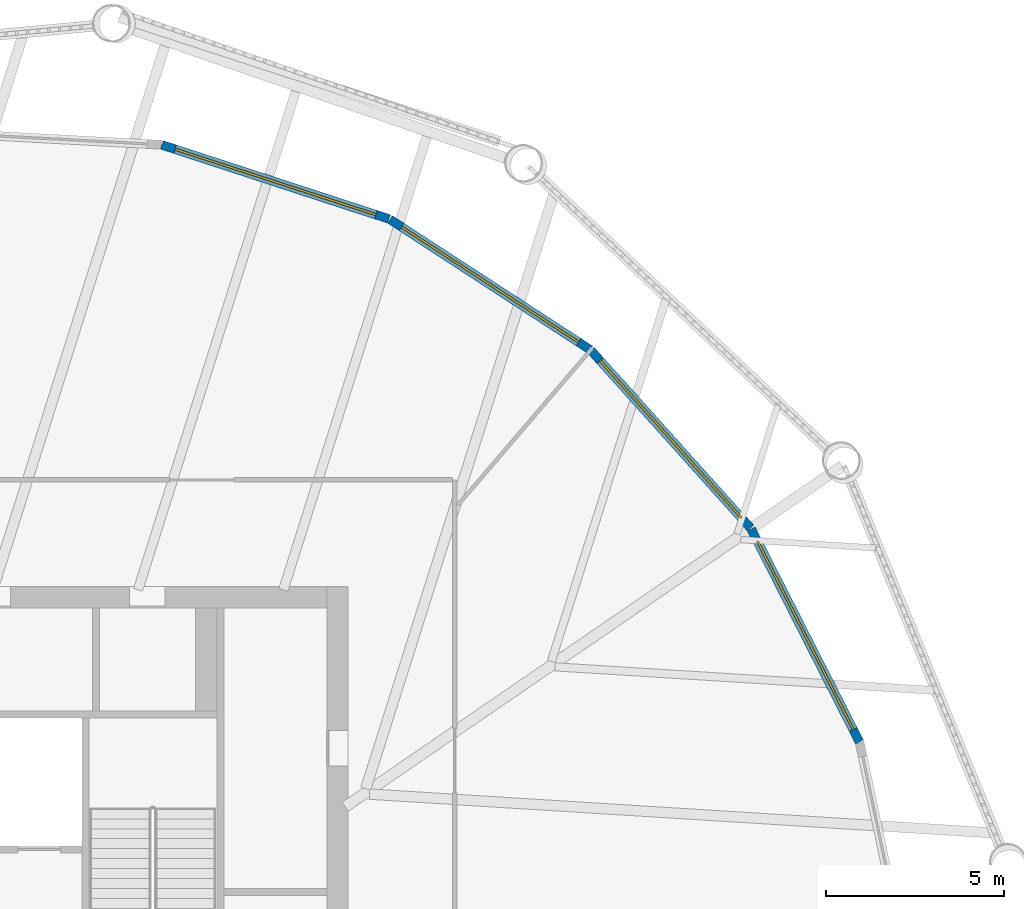
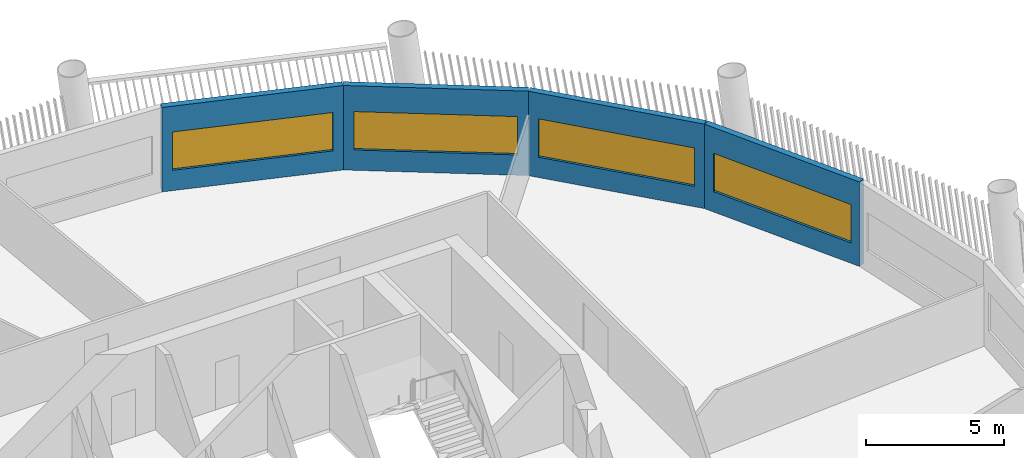
# One storey, part 7 of 15: 4 walls, 4 windows, 4 openings.
"""IFC4 building model written with IfcOpenShell, lengths in metres."""

import ifcopenshell
import ifcopenshell.guid

model = None  # the IFC model being written
_history = None  # IfcOwnerHistory: only IFC2X3 demands one
_inside = {}  # id of a spatial element -> (the spatial element, [elements in it])
_under = {}  # id of a project, library or spatial element -> (it, [spatial elements below it])
_declared = {}  # id of a project -> (the project, [libraries it declares])
_typed = {}  # id of a type object -> (the type object, [elements of that type])
_made_of = {}  # id of a material, layer set ... -> (it, [elements and type objects made of it])


def new_model(schema):
    """Start an empty IFC model of exactly this schema.

    Asked for "IFC4X3", IfcOpenShell would pick the latest addendum, in which some entities
    have other attributes; the version numbers below select the first issue.
    IFC2X3 requires an IfcOwnerHistory on every rooted entity: one is made here for all.
    """
    global model, _history
    if schema == "IFC4X3":
        model = ifcopenshell.file(schema_version=(4, 3, 0, 0))
    else:
        model = ifcopenshell.file(schema=schema)
    _inside.clear()
    _under.clear()
    _declared.clear()
    _typed.clear()
    _made_of.clear()
    _history = None
    if model.schema == "IFC2X3":
        org = make("IfcOrganization", Name="unknown")
        user = make(
            "IfcPersonAndOrganization",
            ThePerson=make("IfcPerson", FamilyName="unknown"),
            TheOrganization=org,
        )
        app = make(
            "IfcApplication",
            ApplicationDeveloper=org,
            Version="unknown",
            ApplicationFullName="unknown",
            ApplicationIdentifier="unknown",
        )
        _history = make(
            "IfcOwnerHistory",
            OwningUser=user,
            OwningApplication=app,
            ChangeAction="ADDED",
            CreationDate=0,
        )
    return model


def make(cls, **values):
    """One entity of the class cls with the attributes given. An attribute that is None is left unset."""
    return model.create_entity(
        cls, **{name: value for name, value in values.items() if value is not None}
    )


def rooted(cls, **values):
    """An entity with a GlobalId (a new one), such as an element, a storey or a relation."""
    return make(cls, GlobalId=ifcopenshell.guid.new(), OwnerHistory=_history, **values)


def si_unit(unit_type, name, prefix=None):
    """IfcSIUnit, for example si_unit("LENGTHUNIT", "METRE", prefix="MILLI")."""
    return make("IfcSIUnit", UnitType=unit_type, Prefix=prefix, Name=name)


def assignment(units):
    """IfcUnitAssignment: the units of a project."""
    return None if units is None else make("IfcUnitAssignment", Units=units)


def point(xyz):
    """IfcCartesianPoint."""
    return None if xyz is None else make("IfcCartesianPoint", Coordinates=xyz)


def direction(xyz):
    """IfcDirection."""
    return None if xyz is None else make("IfcDirection", DirectionRatios=xyz)


def frame(location, z_axis=None, x_axis=None):
    """IfcAxis2Placement3D, a coordinate frame: its origin and axes. An axis left out is left unset."""
    return make(
        "IfcAxis2Placement3D",
        Location=point(location),
        Axis=direction(z_axis),
        RefDirection=direction(x_axis),
    )


def frame_2d(location, x_axis=None):
    """IfcAxis2Placement2D, a coordinate frame in the plane: its origin and x axis."""
    return make(
        "IfcAxis2Placement2D", Location=point(location), RefDirection=direction(x_axis)
    )


def origin():
    """The frame at (0, 0, 0) with its axes left unset."""
    return frame((0.0, 0.0, 0.0))


def place(relative_to, where):
    """IfcLocalPlacement: puts the frame where relative to a parent placement (None: the world)."""
    return make(
        "IfcLocalPlacement", PlacementRelTo=relative_to, RelativePlacement=where
    )


def context(
    kind, dimensions, precision=None, world=None, true_north=None, identifier=None
):
    """IfcGeometricRepresentationContext, for example the 3D "Model" context."""
    return make(
        "IfcGeometricRepresentationContext",
        ContextIdentifier=identifier,
        ContextType=kind,
        CoordinateSpaceDimension=dimensions,
        Precision=precision,
        WorldCoordinateSystem=world,
        TrueNorth=true_north,
    )


def subcontext(parent, identifier, kind, view, scale=None):
    """IfcGeometricRepresentationSubContext, for example "Body" below "Model"."""
    return make(
        "IfcGeometricRepresentationSubContext",
        ContextIdentifier=identifier,
        ContextType=kind,
        ParentContext=parent,
        TargetScale=scale,
        TargetView=view,
    )


def project(units=None, contexts=None):
    """IfcProject with its units and contexts."""
    return rooted(
        "IfcProject",
        Name="project",
        RepresentationContexts=contexts,
        UnitsInContext=assignment(units),
    )


def spatial(cls, under=None, at=None, **own):
    """A site, building, storey or space (cls), placed at a placement, below another one or the project."""
    s = rooted(cls, ObjectPlacement=at, **own)
    if under is not None:
        _under.setdefault(under.id(), (under, []))[1].append(s)
    return s


def profile(cls, at=None, kind="AREA", **sizes):
    """A parametric profile (cls). Its sizes go by their IFC names, for example OverallWidth=200.0."""
    return make(cls, ProfileType=kind, Position=at, **sizes)


def rectangle(**sizes):
    """IfcRectangleProfileDef."""
    return profile("IfcRectangleProfileDef", **sizes)


def extrude(swept, where, along, depth):
    """IfcExtrudedAreaSolid: the profile swept, set in the frame where, extruded along a direction by depth."""
    return make(
        "IfcExtrudedAreaSolid",
        SweptArea=swept,
        Position=where,
        ExtrudedDirection=direction(along),
        Depth=depth,
    )


def shape(context_of_items, identifier, shape_type, items):
    """IfcShapeRepresentation: the items that make up one representation, for example the "Body"."""
    return make(
        "IfcShapeRepresentation",
        ContextOfItems=context_of_items,
        RepresentationIdentifier=identifier,
        RepresentationType=shape_type,
        Items=items,
    )


def material(Name=None, Category=None):
    """IfcMaterial."""
    return make("IfcMaterial", Name=Name, Category=Category)


def layer(
    of_material, thickness, ventilated=None, Name=None, Category=None, Priority=None
):
    """IfcMaterialLayer: one layer of a wall or slab, of a material (None: an air gap)."""
    return make(
        "IfcMaterialLayer",
        Material=of_material,
        LayerThickness=thickness,
        IsVentilated=ventilated,
        Name=Name,
        Category=Category,
        Priority=Priority,
    )


def layer_set(layers, Name=None):
    """IfcMaterialLayerSet."""
    return make("IfcMaterialLayerSet", MaterialLayers=layers, LayerSetName=Name)


def made_of(thing, what):
    """Note that an element or type object is made of a material, layer set ...; save() writes the relation."""
    if what is not None:
        _made_of.setdefault(what.id(), (what, []))[1].append(thing)
    return thing


def type_object(cls, material=None, **own):
    """A type object (cls), such as IfcWallType, which elements share."""
    return made_of(rooted(cls, **own), material)


def element(
    cls,
    number,
    at=None,
    inside=None,
    cuts=None,
    type_object=None,
    material=None,
    context=None,
    identifier="Body",
    shape_type=None,
    held_by="IfcProductDefinitionShape",
    body=None,
    shapes=None,
    **own,
):
    """One element of the class cls, such as IfcWall. Its Tag is "e" and its number.

    at: its placement. inside: the storey or other place that contains it. cuts: it is an
    opening in that element (IfcRelVoidsElement). A single representation is given by context,
    identifier, shape_type and body (its items); several are given by shapes. held_by: the class
    of the entity that holds the representations. save() writes the other relations.
    """
    e = rooted(cls, Tag="e%d" % number, ObjectPlacement=at, **own)
    if body is not None:
        shapes = [shape(context, identifier, shape_type, body)]
    if shapes is not None:
        e.Representation = make(held_by, Representations=shapes)
    if inside is not None:
        _inside.setdefault(inside.id(), (inside, []))[1].append(e)
    if cuts is not None:
        rooted(
            "IfcRelVoidsElement", RelatingBuildingElement=cuts, RelatedOpeningElement=e
        )
    if type_object is not None:
        _typed.setdefault(type_object.id(), (type_object, []))[1].append(e)
    return made_of(e, material)


def fill(opening, filler):
    """IfcRelFillsElement: the door or window that sits in an opening."""
    return rooted(
        "IfcRelFillsElement",
        RelatingOpeningElement=opening,
        RelatedBuildingElement=filler,
    )


def aggregate(whole, parts):
    """IfcRelAggregates: a whole, such as a stair, and the parts it consists of."""
    return rooted("IfcRelAggregates", RelatingObject=whole, RelatedObjects=parts)


def save(model, path):
    """Write the relations noted so far, then the file.

    IfcRelAggregates (storeys below a building ...), IfcRelContainedInSpatialStructure (elements
    in a storey), IfcRelDefinesByType, IfcRelAssociatesMaterial and IfcRelDeclares: one each for
    every whole, place, type object, material and project.
    """
    for whole, parts in _under.values():
        aggregate(whole, parts)
    for where, things in _inside.values():
        rooted(
            "IfcRelContainedInSpatialStructure",
            RelatedElements=things,
            RelatingStructure=where,
        )
    for kind, things in _typed.values():
        rooted("IfcRelDefinesByType", RelatedObjects=things, RelatingType=kind)
    for what, things in _made_of.values():
        rooted("IfcRelAssociatesMaterial", RelatedObjects=things, RelatingMaterial=what)
    for by, libraries in _declared.values():
        rooted("IfcRelDeclares", RelatingContext=by, RelatedDefinitions=libraries)
    model.write(path)


model = new_model("IFC4")

# Units and contexts
model_context = context("Model", 3, precision=1e-05, world=origin(), true_north=direction((0.0, 1.0)))
body_context = subcontext(model_context, "Body", "Model", "MODEL_VIEW")
ifc_project = project(units=[si_unit("LENGTHUNIT", "METRE"), si_unit("AREAUNIT", "SQUARE_METRE"), si_unit("VOLUMEUNIT", "CUBIC_METRE"), si_unit("PLANEANGLEUNIT", "RADIAN"), si_unit("MASSUNIT", "GRAM", prefix="KILO")], contexts=[model_context])

# Site, building, storey
site_placement = place(None, origin())
site = spatial("IfcSite", under=ifc_project, at=site_placement, CompositionType="ELEMENT")
building_placement = place(site_placement, origin())
building = spatial("IfcBuilding", under=site, at=building_placement, Name="Tarsis Ring Headquarters", CompositionType="ELEMENT")
storey_placement = place(building_placement, frame((0.0, 0.0, 212.10009765625)))
storey = spatial("IfcBuildingStorey", under=building, at=storey_placement, Name="L49", CompositionType="ELEMENT", Elevation=212.10009765625)

# Wall, opening, window
ifc_material_1 = material(Name="Terracotta clad insulated panel wall", Category="masonry")
ifc_layer = layer(ifc_material_1, 0.25)
ifc_layer_set = layer_set([ifc_layer], Name="Facade wall terracotta panel 250")
wall_type = type_object("IfcWallType", Name="Facade wall terracotta panel 250", PredefinedType="STANDARD", material=ifc_layer_set)
wall_1_placement = place(storey_placement, frame((24.391357421875, 8.6259765625, 0.0), z_axis=(0.0, 0.0, 1.0), x_axis=(-0.453044642633, 0.891487830417, 0.0)))
wall_1 = element("IfcWall", 1, at=wall_1_placement, inside=storey, type_object=wall_type, Name="External wall L49-23", PredefinedType="STANDARD", context=body_context, shape_type="SweptSolid", body=[
    extrude(rectangle(XDim=6.7216796875, YDim=0.25, at=frame_2d((3.36083984375, 0.0))), origin(), (0.0, 0.0, 1.0), 3.739990234375),
])
opening_1_placement = place(wall_1_placement, frame((0.3857421875, 0.0, 0.89990234375)))
opening_1 = element("IfcOpeningElement", 2, at=opening_1_placement, cuts=wall_1, Name="Opening WN07", PredefinedType="OPENING", context=body_context, shape_type="SweptSolid", body=[
    extrude(rectangle(XDim=5.949951171875, YDim=1.699951171875, at=frame_2d((2.97509765625, 0.85009765625))), frame((0.0, 0.135009765625, 0.0), z_axis=(0.0, -1.0, 0.0), x_axis=(1.0, 0.0, 0.0)), (0.0, 0.0, 1.0), 0.27001953125),
])
ifc_material_2 = material(Name="Aluminium framed double glazing", Category="aluminium")
window_type = type_object("IfcWindowType", Name="Facade window 5950 x 1700", PartitioningType="SINGLE_PANEL", PredefinedType="WINDOW", material=ifc_material_2)
window_1_placement = place(opening_1_placement, origin())
window_1 = element("IfcWindow", 3, at=window_1_placement, inside=storey, type_object=window_type, Name="Window L49-23.1", OverallHeight=1.699951171875, OverallWidth=5.949951171875, PartitioningType="SINGLE_PANEL", PredefinedType="WINDOW", context=body_context, shape_type="SweptSolid", body=[
    extrude(rectangle(XDim=5.949951171875, YDim=1.699951171875, at=frame_2d((2.97509765625, 0.85009765625))), frame((0.0, 0.030029296875, 0.0), z_axis=(0.0, -1.0, 0.0), x_axis=(1.0, 0.0, 0.0)), (0.0, 0.0, 1.0), 0.06005859375),
])
fill(opening_1, window_1)

wall_2_placement = place(storey_placement, frame((21.32763671875, 14.64501953125, 0.0), z_axis=(0.0, 0.0, 1.0), x_axis=(-0.668340385009, 0.743855583945, 0.0)))
wall_2 = element("IfcWall", 4, at=wall_2_placement, inside=storey, type_object=wall_type, Name="External wall L49-24", PredefinedType="STANDARD", context=body_context, shape_type="SweptSolid", body=[
    extrude(rectangle(XDim=6.721435546875, YDim=0.25, at=frame_2d((3.36083984375, 0.0))), origin(), (0.0, 0.0, 1.0), 3.739990234375),
])
opening_2_placement = place(wall_2_placement, frame((0.3857421875, 0.0, 0.89990234375)))
opening_2 = element("IfcOpeningElement", 5, at=opening_2_placement, cuts=wall_2, Name="Opening WN07", PredefinedType="OPENING", context=body_context, shape_type="SweptSolid", body=[
    extrude(rectangle(XDim=5.949951171875, YDim=1.699951171875, at=frame_2d((2.97509765625, 0.85009765625))), frame((0.0, 0.135009765625, 0.0), z_axis=(0.0, -1.0, 0.0), x_axis=(1.0, 0.0, 0.0)), (0.0, 0.0, 1.0), 0.27001953125),
])
window_2_placement = place(opening_2_placement, origin())
window_2 = element("IfcWindow", 6, at=window_2_placement, inside=storey, type_object=window_type, Name="Window L49-24.1", OverallHeight=1.699951171875, OverallWidth=5.949951171875, PartitioningType="SINGLE_PANEL", PredefinedType="WINDOW", context=body_context, shape_type="SweptSolid", body=[
    extrude(rectangle(XDim=5.949951171875, YDim=1.699951171875, at=frame_2d((2.97509765625, 0.85009765625))), frame((0.0, 0.030029296875, 0.0), z_axis=(0.0, -1.0, 0.0), x_axis=(1.0, 0.0, 0.0)), (0.0, 0.0, 1.0), 0.06005859375),
])
fill(opening_2, window_2)

wall_3_placement = place(storey_placement, frame((16.810546875, 19.666015625, 0.0), z_axis=(0.0, 0.0, 1.0), x_axis=(-0.83809656704, 0.545521900857, 0.0)))
wall_3 = element("IfcWall", 7, at=wall_3_placement, inside=storey, type_object=wall_type, Name="External wall L49-25", PredefinedType="STANDARD", context=body_context, shape_type="SweptSolid", body=[
    extrude(rectangle(XDim=6.721435546875, YDim=0.25, at=frame_2d((3.36083984375, 0.0))), origin(), (0.0, 0.0, 1.0), 3.739990234375),
])
opening_3_placement = place(wall_3_placement, frame((0.3857421875, 0.0, 0.89990234375)))
opening_3 = element("IfcOpeningElement", 8, at=opening_3_placement, cuts=wall_3, Name="Opening WN07", PredefinedType="OPENING", context=body_context, shape_type="SweptSolid", body=[
    extrude(rectangle(XDim=5.949951171875, YDim=1.699951171875, at=frame_2d((2.97509765625, 0.85009765625))), frame((0.0, 0.135009765625, 0.0), z_axis=(0.0, -1.0, 0.0), x_axis=(1.0, 0.0, 0.0)), (0.0, 0.0, 1.0), 0.27001953125),
])
window_3_placement = place(opening_3_placement, origin())
window_3 = element("IfcWindow", 9, at=window_3_placement, inside=storey, type_object=window_type, Name="Window L49-25.1", OverallHeight=1.699951171875, OverallWidth=5.949951171875, PartitioningType="SINGLE_PANEL", PredefinedType="WINDOW", context=body_context, shape_type="SweptSolid", body=[
    extrude(rectangle(XDim=5.949951171875, YDim=1.699951171875, at=frame_2d((2.97509765625, 0.85009765625))), frame((0.0, 0.030029296875, 0.0), z_axis=(0.0, -1.0, 0.0), x_axis=(1.0, 0.0, 0.0)), (0.0, 0.0, 1.0), 0.06005859375),
])
fill(opening_3, window_3)

wall_4_placement = place(storey_placement, frame((11.147705078125, 23.346923828125, 0.0), z_axis=(0.0, 0.0, 1.0), x_axis=(-0.950733330448, 0.310009893997, 0.0)))
wall_4 = element("IfcWall", 10, at=wall_4_placement, inside=storey, type_object=wall_type, Name="External wall L49-26", PredefinedType="STANDARD", context=body_context, shape_type="SweptSolid", body=[
    extrude(rectangle(XDim=6.721435546875, YDim=0.25, at=frame_2d((3.36083984375, 0.0))), origin(), (0.0, 0.0, 1.0), 3.739990234375),
])
opening_4_placement = place(wall_4_placement, frame((0.3857421875, 0.0, 0.89990234375)))
opening_4 = element("IfcOpeningElement", 11, at=opening_4_placement, cuts=wall_4, Name="Opening WN07", PredefinedType="OPENING", context=body_context, shape_type="SweptSolid", body=[
    extrude(rectangle(XDim=5.949951171875, YDim=1.699951171875, at=frame_2d((2.97509765625, 0.85009765625))), frame((0.0, 0.135009765625, 0.0), z_axis=(0.0, -1.0, 0.0), x_axis=(1.0, 0.0, 0.0)), (0.0, 0.0, 1.0), 0.27001953125),
])
window_4_placement = place(opening_4_placement, origin())
window_4 = element("IfcWindow", 12, at=window_4_placement, inside=storey, type_object=window_type, Name="Window L49-26.1", OverallHeight=1.699951171875, OverallWidth=5.949951171875, PartitioningType="SINGLE_PANEL", PredefinedType="WINDOW", context=body_context, shape_type="SweptSolid", body=[
    extrude(rectangle(XDim=5.949951171875, YDim=1.699951171875, at=frame_2d((2.97509765625, 0.85009765625))), frame((0.0, 0.030029296875, 0.0), z_axis=(0.0, -1.0, 0.0), x_axis=(1.0, 0.0, 0.0)), (0.0, 0.0, 1.0), 0.06005859375),
])
fill(opening_4, window_4)

save(model, "model.ifc")
